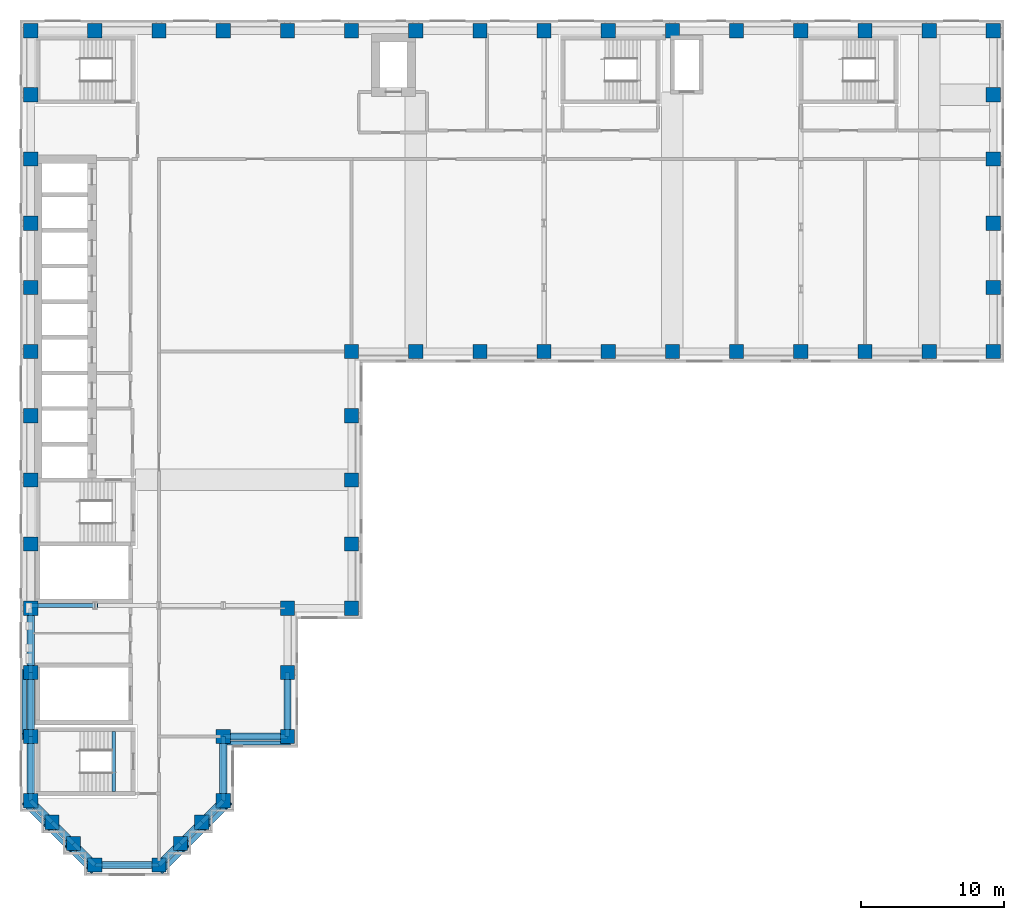
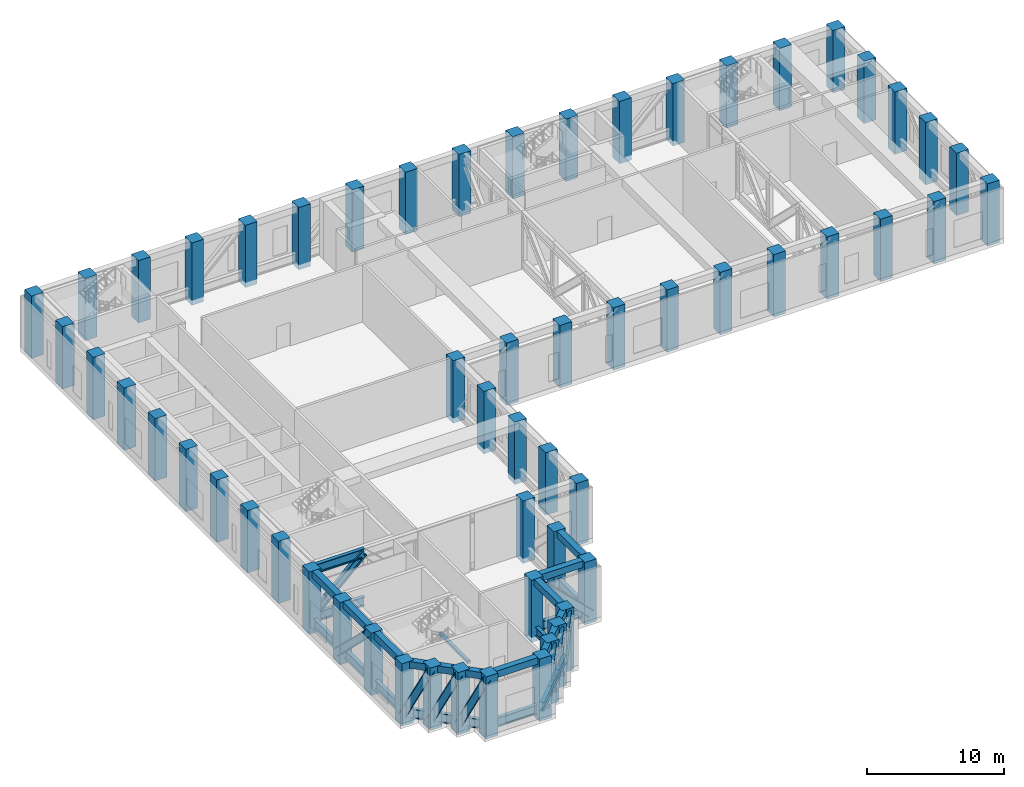
# One storey, part 1 of 14: 58 columns, 24 members, 14 beams.
"""IFC4 building model written with IfcOpenShell, lengths in metres."""

from ifc_helpers import new_model, si_unit, direction, frame, origin, origin_2d, place, context, subcontext, project, spatial, rectangle, i_section, extrude, material, material_profile, profile_set, type_object, element, save


model = new_model("IFC4")

# Units and contexts
model_context = context("Model", 3, precision=1e-05, world=origin(), true_north=direction((0.0, 1.0)))
body_context = subcontext(model_context, "Body", "Model", "MODEL_VIEW")
ifc_project = project(units=[si_unit("LENGTHUNIT", "METRE"), si_unit("AREAUNIT", "SQUARE_METRE"), si_unit("VOLUMEUNIT", "CUBIC_METRE"), si_unit("PLANEANGLEUNIT", "RADIAN"), si_unit("MASSUNIT", "GRAM", prefix="KILO")], contexts=[model_context])

# Site, building, storey
site_placement = place(None, origin())
site = spatial("IfcSite", under=ifc_project, at=site_placement, CompositionType="ELEMENT")
building_placement = place(site_placement, origin())
building = spatial("IfcBuilding", under=site, at=building_placement, Name="Firuza Court", CompositionType="ELEMENT")
storey_placement = place(building_placement, frame((0.0, 0.0, 173.60009765625)))
storey = spatial("IfcBuildingStorey", under=building, at=storey_placement, Name="L44", CompositionType="ELEMENT", Elevation=173.60009765625)

# Columns
ifc_material_1 = material(Name="Concrete C60/75", Category="concrete")
ifc_material_profile_1 = material_profile(ifc_material_1, rectangle(XDim=1.0, YDim=1.0, at=origin_2d()), Name="RC 1000x1000")
ifc_profile_set_1 = profile_set([ifc_material_profile_1], Name="Concrete C60/75")
column_type = type_object("IfcColumnType", Name="Tube column RC 1000x1000 C60/75", PredefinedType="COLUMN", material=ifc_profile_set_1)
for number, where, z_axis, x_axis, name in (
    (1, (4.5, 0.0, -0.4501953125), (0.0, 0.0, 1.0), (1.0, 0.0, 0.0), "Column C-2D L44"),
    (2, (9.0, 0.0, -0.4501953125), (0.0, 0.0, 1.0), (1.0, 0.0, 0.0), "Column C-3D L44"),
    (3, (3.0, 1.5, -0.4501953125), (0.0, 0.0, 1.0), (1.0, 0.0, 0.0), "Column C-SA1 L44"),
    (4, (10.5, 1.5, -0.4501953125), (0.0, 0.0, 1.0), (1.0, 0.0, 0.0), "Column C-SA2 L44"),
    (5, (1.5, 3.0, -0.4501953125), (0.0, 0.0, 1.0), (1.0, 0.0, 0.0), "Column C-SA3 L44"),
    (6, (12.0, 3.0, -0.4501953125), (0.0, 0.0, 1.0), (1.0, 0.0, 0.0), "Column C-SA4 L44"),
    (7, (0.0, 4.5, -0.4501953125), (0.0, 0.0, 1.0), (1.0, 0.0, 0.0), "Column C-1E L44"),
    (8, (13.5, 4.5, -0.4501953125), (0.0, 0.0, 1.0), (1.0, 0.0, 0.0), "Column C-4E L44"),
    (9, (0.0, 9.0, -0.4501953125), (0.0, 0.0, 1.0), (1.0, 0.0, 0.0), "Column C-1F L44"),
    (10, (13.5, 9.0, -0.4501953125), (0.0, 0.0, 1.0), (1.0, 0.0, 0.0), "Column C-4F L44"),
    (11, (18.0, 9.0, -0.4501953125), (0.0, 0.0, 1.0), (1.0, 0.0, 0.0), "Column C-5F L44"),
    (12, (0.0, 13.5, -0.4501953125), (0.0, 0.0, 1.0), (1.0, 0.0, 0.0), "Column C-1G L44"),
    (13, (18.0, 13.5, -0.4501953125), (0.0, 0.0, 1.0), (1.0, 0.0, 0.0), "Column C-5G L44"),
    (14, (0.0, 18.0, -0.4501953125), (0.0, 0.0, 1.0), (1.0, 0.0, 0.0), "Column C-1H L44"),
    (15, (18.0, 18.0, -0.4501953125), (0.0, 0.0, 1.0), (1.0, 0.0, 0.0), "Column C-5H L44"),
    (16, (22.5, 18.0, -0.4501953125), (0.0, 0.0, 1.0), (1.0, 0.0, 0.0), "Column C-6H L44"),
    (17, (0.0, 22.5, -0.4501953125), (0.0, 0.0, 1.0), (1.0, 0.0, 0.0), "Column C-1J L44"),
    (18, (22.5, 22.5, -0.4501953125), (0.0, 0.0, 1.0), (1.0, 0.0, 0.0), "Column C-6J L44"),
    (19, (0.0, 27.0, -0.4501953125), (0.0, 0.0, 1.0), (1.0, 0.0, 0.0), "Column C-1K L44"),
    (20, (22.5, 27.0, -0.4501953125), (0.0, 0.0, 1.0), (1.0, 0.0, 0.0), "Column C-6K L44"),
    (21, (0.0, 31.5, -0.4501953125), (0.0, 0.0, 1.0), (1.0, 0.0, 0.0), "Column C-1L L44"),
    (22, (22.5, 31.5, -0.4501953125), (0.0, 0.0, 1.0), (1.0, 0.0, 0.0), "Column C-6L L44"),
    (23, (0.0, 36.0, -0.4501953125), (0.0, 0.0, 1.0), (1.0, 0.0, 0.0), "Column C-1M L44"),
    (24, (22.5, 36.0, -0.4501953125), (0.0, 0.0, 1.0), (1.0, 0.0, 0.0), "Column C-6M L44"),
    (25, (27.0, 36.0, -0.4501953125), (0.0, 0.0, 1.0), (1.0, 0.0, 0.0), "Column C-7M L44"),
    (26, (31.5, 36.0, -0.4501953125), (0.0, 0.0, 1.0), (1.0, 0.0, 0.0), "Column C-8M L44"),
    (27, (36.0, 36.0, -0.4501953125), (0.0, 0.0, 1.0), (1.0, 0.0, 0.0), "Column C-9M L44"),
    (28, (40.5, 36.0, -0.4501953125), (0.0, 0.0, 1.0), (1.0, 0.0, 0.0), "Column C-10M L44"),
    (29, (45.0, 36.0, -0.4501953125), (0.0, 0.0, 1.0), (1.0, 0.0, 0.0), "Column C-11M L44"),
    (30, (49.5, 36.0, -0.4501953125), (0.0, 0.0, 1.0), (1.0, 0.0, 0.0), "Column C-12M L44"),
    (31, (54.0, 36.0, -0.4501953125), (0.0, 0.0, 1.0), (1.0, 0.0, 0.0), "Column C-13M L44"),
    (32, (58.5, 36.0, -0.4501953125), (0.0, 0.0, 1.0), (1.0, 0.0, 0.0), "Column C-14M L44"),
    (33, (63.0, 36.0, -0.4501953125), (0.0, 0.0, 1.0), (1.0, 0.0, 0.0), "Column C-15M L44"),
    (34, (67.5, 36.0, -0.4501953125), (0.0, 0.0, 1.0), (1.0, 0.0, 0.0), "Column C-16M L44"),
    (35, (0.0, 40.5, -0.4501953125), (0.0, 0.0, 1.0), (1.0, 0.0, 0.0), "Column C-1N L44"),
    (36, (67.5, 40.5, -0.4501953125), (0.0, 0.0, 1.0), (1.0, 0.0, 0.0), "Column C-16N L44"),
    (37, (0.0, 45.0, -0.4501953125), (0.0, 0.0, 1.0), (1.0, 0.0, 0.0), "Column C-1P L44"),
    (38, (67.5, 45.0, -0.4501953125), (0.0, 0.0, 1.0), (1.0, 0.0, 0.0), "Column C-16P L44"),
    (39, (0.0, 49.5, -0.4501953125), (0.0, 0.0, 1.0), (1.0, 0.0, 0.0), "Column C-1Q L44"),
    (40, (67.5, 49.5, -0.4501953125), (0.0, 0.0, 1.0), (1.0, 0.0, 0.0), "Column C-16Q L44"),
    (41, (0.0, 54.0, -0.4501953125), (0.0, 0.0, 1.0), (1.0, 0.0, 0.0), "Column C-1R L44"),
    (42, (67.5, 54.0, -0.4501953125), (0.0, 0.0, 1.0), (1.0, 0.0, 0.0), "Column C-16R L44"),
    (43, (0.0, 58.5, -0.4501953125), (0.0, 0.0, 1.0), (1.0, 0.0, 0.0), "Column C-1S L44"),
    (44, (4.5, 58.5, -0.4501953125), (0.0, 0.0, 1.0), (1.0, 0.0, 0.0), "Column C-2S L44"),
    (45, (9.0, 58.5, -0.4501953125), (0.0, 0.0, 1.0), (1.0, 0.0, 0.0), "Column C-3S L44"),
    (46, (13.5, 58.5, -0.4501953125), (0.0, 0.0, 1.0), (1.0, 0.0, 0.0), "Column C-4S L44"),
    (47, (18.0, 58.5, -0.4501953125), (0.0, 0.0, 1.0), (1.0, 0.0, 0.0), "Column C-5S L44"),
    (48, (22.5, 58.5, -0.4501953125), (0.0, 0.0, 1.0), (1.0, 0.0, 0.0), "Column C-6S L44"),
    (49, (27.0, 58.5, -0.4501953125), (0.0, 0.0, 1.0), (1.0, 0.0, 0.0), "Column C-7S L44"),
    (50, (31.5, 58.5, -0.4501953125), (0.0, 0.0, 1.0), (1.0, 0.0, 0.0), "Column C-8S L44"),
    (51, (36.0, 58.5, -0.4501953125), (0.0, 0.0, 1.0), (1.0, 0.0, 0.0), "Column C-9S L44"),
    (52, (40.5, 58.5, -0.4501953125), (0.0, 0.0, 1.0), (1.0, 0.0, 0.0), "Column C-10S L44"),
    (53, (45.0, 58.5, -0.4501953125), (0.0, 0.0, 1.0), (1.0, 0.0, 0.0), "Column C-11S L44"),
    (54, (49.5, 58.5, -0.4501953125), (0.0, 0.0, 1.0), (1.0, 0.0, 0.0), "Column C-12S L44"),
    (55, (54.0, 58.5, -0.4501953125), (0.0, 0.0, 1.0), (1.0, 0.0, 0.0), "Column C-13S L44"),
    (56, (58.5, 58.5, -0.4501953125), (0.0, 0.0, 1.0), (1.0, 0.0, 0.0), "Column C-14S L44"),
    (57, (63.0, 58.5, -0.4501953125), (0.0, 0.0, 1.0), (1.0, 0.0, 0.0), "Column C-15S L44"),
    (58, (67.5, 58.5, -0.4501953125), (0.0, 0.0, 1.0), (1.0, 0.0, 0.0), "Column C-16S L44"),
):
    element("IfcColumn", number, at=place(storey_placement, frame(where, z_axis=z_axis, x_axis=x_axis)), inside=storey, type_object=column_type, Name=name, PredefinedType="COLUMN", context=body_context, shape_type="SweptSolid", body=[
        extrude(rectangle(XDim=1.0, YDim=1.0, at=origin_2d()), origin(), (0.0, 0.0, 1.0), 5.550048828125),
    ])

# Members
ifc_material_2 = material(Name="Steel S460M", Category="steel")
ifc_material_profile_2 = material_profile(ifc_material_2, i_section(OverallWidth=0.302978515625, OverallDepth=0.81396484375, WebThickness=0.02099609375, FlangeThickness=0.0400390625, FilletRadius=0.030029296875, at=origin_2d()), Name="HE 800 M")
ifc_profile_set_2 = profile_set([ifc_material_profile_2], Name="Steel S460M")
member_type_1 = type_object("IfcMemberType", Name="Belt truss chord HE 800 M S460M", PredefinedType="CHORD", material=ifc_profile_set_2)
for number, where, z_axis, x_axis, name in (
    (59, (9.0, 0.0, 0.406982421875), (0.707106781187, 0.707106781187, 0.0), (-0.707106781187, 0.707106781187, 0.0), "Belt truss chord BC1 L44"),
    (60, (10.5, 1.5, 0.406982421875), (0.707106781187, 0.707106781187, 0.0), (-0.707106781187, 0.707106781187, 0.0), "Belt truss chord BC1 L44"),
    (61, (12.0, 3.0, 0.406982421875), (0.707106781187, 0.707106781187, 0.0), (-0.707106781187, 0.707106781187, 0.0), "Belt truss chord BC1 L44"),
):
    element("IfcMember", number, at=place(storey_placement, frame(where, z_axis=z_axis, x_axis=x_axis)), inside=storey, type_object=member_type_1, Name=name, PredefinedType="CHORD", context=body_context, shape_type="SweptSolid", body=[
        extrude(i_section(OverallWidth=0.302978515625, OverallDepth=0.81396484375, WebThickness=0.02099609375, FlangeThickness=0.0400390625, FilletRadius=0.030029296875, at=origin_2d()), origin(), (0.0, 0.0, 1.0), 2.121337890625),
    ])
for number, where, z_axis, x_axis, name in (
    (62, (13.5, 4.5, 0.406982421875), (0.0, 1.0, 0.0), (-1.0, 0.0, 0.0), "Belt truss chord BC1 L44"),
    (63, (13.5, 9.0, 0.406982421875), (1.0, 0.0, 0.0), (0.0, 1.0, 0.0), "Belt truss chord BC1 L44"),
    (64, (18.0, 9.0, 0.406982421875), (0.0, 1.0, 0.0), (-1.0, 0.0, 0.0), "Belt truss chord BC1 L44"),
    (65, (0.0, 18.0, 0.406982421875), (0.0, -1.0, 0.0), (1.0, 0.0, 0.0), "Belt truss chord BC1 L44"),
    (66, (0.0, 13.5, 0.406982421875), (0.0, -1.0, 0.0), (1.0, 0.0, 0.0), "Belt truss chord BC1 L44"),
    (67, (0.0, 9.0, 0.406982421875), (0.0, -1.0, 0.0), (1.0, 0.0, 0.0), "Belt truss chord BC1 L44"),
):
    element("IfcMember", number, at=place(storey_placement, frame(where, z_axis=z_axis, x_axis=x_axis)), inside=storey, type_object=member_type_1, Name=name, PredefinedType="CHORD", context=body_context, shape_type="SweptSolid", body=[
        extrude(i_section(OverallWidth=0.302978515625, OverallDepth=0.81396484375, WebThickness=0.02099609375, FlangeThickness=0.0400390625, FilletRadius=0.030029296875, at=origin_2d()), origin(), (0.0, 0.0, 1.0), 4.5),
    ])
for number, where, z_axis, x_axis, name in (
    (68, (0.0, 4.5, 0.406982421875), (0.707106781187, -0.707106781187, 0.0), (0.707106781187, 0.707106781187, 0.0), "Belt truss chord BC1 L44"),
    (69, (1.5, 3.0, 0.406982421875), (0.707106781187, -0.707106781187, 0.0), (0.707106781187, 0.707106781187, 0.0), "Belt truss chord BC1 L44"),
    (70, (3.0, 1.5, 0.406982421875), (0.707106781187, -0.707106781187, 0.0), (0.707106781187, 0.707106781187, 0.0), "Belt truss chord BC1 L44"),
):
    element("IfcMember", number, at=place(storey_placement, frame(where, z_axis=z_axis, x_axis=x_axis)), inside=storey, type_object=member_type_1, Name=name, PredefinedType="CHORD", context=body_context, shape_type="SweptSolid", body=[
        extrude(i_section(OverallWidth=0.302978515625, OverallDepth=0.81396484375, WebThickness=0.02099609375, FlangeThickness=0.0400390625, FilletRadius=0.030029296875, at=origin_2d()), origin(), (0.0, 0.0, 1.0), 2.121337890625),
    ])
for number, where, z_axis, x_axis, name in (
    (71, (4.5, 0.0, 0.406982421875), (1.0, 0.0, 0.0), (0.0, 1.0, 0.0), "Belt truss chord BC1 L44"),
    (72, (0.0, 18.198486328125, 0.406982421875), (1.0, 0.0, 0.0), (0.0, 1.0, 0.0), "Belt truss chord BC1 L44"),
    (73, (0.0, 18.198486328125, 4.69287109375), (1.0, 0.0, 0.0), (0.0, 1.0, 0.0), "Belt truss chord BC1 L44"),
):
    element("IfcMember", number, at=place(storey_placement, frame(where, z_axis=z_axis, x_axis=x_axis)), inside=storey, type_object=member_type_1, Name=name, PredefinedType="CHORD", context=body_context, shape_type="SweptSolid", body=[
        extrude(i_section(OverallWidth=0.302978515625, OverallDepth=0.81396484375, WebThickness=0.02099609375, FlangeThickness=0.0400390625, FilletRadius=0.030029296875, at=origin_2d()), origin(), (0.0, 0.0, 1.0), 4.5),
    ])
ifc_material_3 = material(Name="Steel S460M", Category="steel")
ifc_material_profile_3 = material_profile(ifc_material_3, i_section(OverallWidth=0.304931640625, OverallDepth=0.6201171875, WebThickness=0.02099609375, FlangeThickness=0.0400390625, FilletRadius=0.027099609375, at=origin_2d()), Name="HE 600 M")
ifc_profile_set_3 = profile_set([ifc_material_profile_3], Name="Steel S460M")
member_type_2 = type_object("IfcMemberType", Name="Belt truss diagonal HE 600 M S460M", PredefinedType="BRACE", material=ifc_profile_set_3)
for number, where, z_axis, x_axis, name in (
    (74, (9.318115234375, -0.318115234375, 0.406982421875), (0.307490130433, 0.307490130433, 0.900499660951), (-0.707106781187, 0.707106781187, 0.0), "Belt truss diagonal BD1 L44"),
    (75, (10.818115234375, 1.181884765625, 0.406982421875), (0.307490130433, 0.307490130433, 0.900499660951), (-0.707106781187, 0.707106781187, 0.0), "Belt truss diagonal BD1 L44"),
    (76, (12.318115234375, 2.681884765625, 0.406982421875), (0.307490130433, 0.307490130433, 0.900499660951), (-0.707106781187, 0.707106781187, 0.0), "Belt truss diagonal BD1 L44"),
):
    element("IfcMember", number, at=place(storey_placement, frame(where, z_axis=z_axis, x_axis=x_axis)), inside=storey, type_object=member_type_2, Name=name, PredefinedType="BRACE", context=body_context, shape_type="SweptSolid", body=[
        extrude(i_section(OverallWidth=0.304931640625, OverallDepth=0.6201171875, WebThickness=0.02099609375, FlangeThickness=0.0400390625, FilletRadius=0.027099609375, at=origin_2d()), origin(), (0.0, 0.0, 1.0), 4.878173828125),
    ])
for number, where, z_axis, x_axis, name in (
    (77, (18.0, 8.550048828125, 0.406982421875), (-0.715576978108, 0.0, 0.698533884934), (0.0, -1.0, 0.0), "Belt truss diagonal BD1 L44"),
    (78, (-0.449951171875, 13.5, 0.406982421875), (0.0, -0.715576978108, 0.698533884934), (1.0, 0.0, 0.0), "Belt truss diagonal BD1 L44"),
):
    element("IfcMember", number, at=place(storey_placement, frame(where, z_axis=z_axis, x_axis=x_axis)), inside=storey, type_object=member_type_2, Name=name, PredefinedType="BRACE", context=body_context, shape_type="SweptSolid", body=[
        extrude(i_section(OverallWidth=0.304931640625, OverallDepth=0.6201171875, WebThickness=0.02099609375, FlangeThickness=0.0400390625, FilletRadius=0.027099609375, at=origin_2d()), origin(), (0.0, 0.0, 1.0), 6.28857421875),
    ])
for number, where, z_axis, x_axis, name in (
    (79, (-0.318115234375, 4.181884765625, 0.406982421875), (0.307490130433, -0.307490130433, 0.900499660951), (0.707106781187, 0.707106781187, 0.0), "Belt truss diagonal BD1 L44"),
    (80, (1.181884765625, 2.681884765625, 0.406982421875), (0.307490130433, -0.307490130433, 0.900499660951), (0.707106781187, 0.707106781187, 0.0), "Belt truss diagonal BD1 L44"),
    (81, (2.681884765625, 1.181884765625, 0.406982421875), (0.307490130433, -0.307490130433, 0.900499660951), (0.707106781187, 0.707106781187, 0.0), "Belt truss diagonal BD1 L44"),
):
    element("IfcMember", number, at=place(storey_placement, frame(where, z_axis=z_axis, x_axis=x_axis)), inside=storey, type_object=member_type_2, Name=name, PredefinedType="BRACE", context=body_context, shape_type="SweptSolid", body=[
        extrude(i_section(OverallWidth=0.304931640625, OverallDepth=0.6201171875, WebThickness=0.02099609375, FlangeThickness=0.0400390625, FilletRadius=0.027099609375, at=origin_2d()), origin(), (0.0, 0.0, 1.0), 4.878173828125),
    ])
member_placement = place(storey_placement, frame((0.0, 18.198486328125, 0.406982421875), z_axis=(0.72412391677, 0.0, 0.689669887093), x_axis=(0.0, 1.0, 0.0)))
element("IfcMember", 82, at=member_placement, inside=storey, type_object=member_type_2, Name="Belt truss diagonal BD1 L44", PredefinedType="BRACE", context=body_context, shape_type="SweptSolid", body=[
    extrude(i_section(OverallWidth=0.304931640625, OverallDepth=0.6201171875, WebThickness=0.02099609375, FlangeThickness=0.0400390625, FilletRadius=0.027099609375, at=origin_2d()), origin(), (0.0, 0.0, 1.0), 6.21435546875),
])

# Beams
ifc_material_4 = material(Name="Concrete C40/50", Category="concrete")
ifc_material_profile_4 = material_profile(ifc_material_4, rectangle(XDim=0.25, YDim=0.25, at=origin_2d()), Name="RC 250x250")
ifc_profile_set_4 = profile_set([ifc_material_profile_4], Name="Concrete C40/50")
beam_type_1 = type_object("IfcBeamType", Name="Landing beam RC 250x250 C40/50", PredefinedType="BEAM", material=ifc_profile_set_4)
beam_1_placement = place(storey_placement, frame((5.824951171875, 5.14990234375, 2.375), z_axis=(0.0, 1.0, 0.0), x_axis=(-1.0, 0.0, 0.0)))
element("IfcBeam", 83, at=beam_1_placement, inside=storey, type_object=beam_type_1, Name="Landing beam S5 L44", PredefinedType="BEAM", context=body_context, shape_type="SweptSolid", body=[
    extrude(rectangle(XDim=0.25, YDim=0.25, at=origin_2d()), origin(), (0.0, 0.0, 1.0), 4.2001953125),
])
ifc_material_5 = material(Name="Concrete C40/50", Category="concrete")
ifc_material_profile_5 = material_profile(ifc_material_5, rectangle(XDim=0.5, YDim=0.60009765625, at=origin_2d()), Name="RC 500x600")
ifc_profile_set_5 = profile_set([ifc_material_profile_5], Name="Concrete C40/50")
beam_type_2 = type_object("IfcBeamType", Name="Spandrel beam RC 500x600 C40/50", PredefinedType="BEAM", material=ifc_profile_set_5)
beam_2_placement = place(storey_placement, frame((0.0, 4.5, 4.7998046875), z_axis=(0.707106781187, -0.707106781187, 0.0), x_axis=(0.707106781187, 0.707106781187, 0.0)))
element("IfcBeam", 84, at=beam_2_placement, inside=storey, type_object=beam_type_2, Name="Spandrel beam SP13 level L45", PredefinedType="BEAM", context=body_context, shape_type="SweptSolid", body=[
    extrude(rectangle(XDim=0.5, YDim=0.60009765625, at=origin_2d()), origin(), (0.0, 0.0, 1.0), 2.121337890625),
])
for number, where, z_axis, x_axis, name in (
    (85, (0.0, 9.0, 4.7998046875), (0.0, -1.0, 0.0), (1.0, 0.0, 0.0), "Spandrel beam SP13 level L45"),
    (86, (0.0, 13.5, 4.7998046875), (0.0, -1.0, 0.0), (1.0, 0.0, 0.0), "Spandrel beam SP13 level L45"),
    (87, (0.0, 18.0, 4.7998046875), (0.0, -1.0, 0.0), (1.0, 0.0, 0.0), "Spandrel beam SP13 level L45"),
):
    element("IfcBeam", number, at=place(storey_placement, frame(where, z_axis=z_axis, x_axis=x_axis)), inside=storey, type_object=beam_type_2, Name=name, PredefinedType="BEAM", context=body_context, shape_type="SweptSolid", body=[
        extrude(rectangle(XDim=0.5, YDim=0.60009765625, at=origin_2d()), origin(), (0.0, 0.0, 1.0), 4.5),
    ])
for number, where, z_axis, x_axis, name in (
    (88, (1.5, 3.0, 4.7998046875), (0.707106781187, -0.707106781187, 0.0), (0.707106781187, 0.707106781187, 0.0), "Spandrel beam SP13 level L45"),
    (89, (3.0, 1.5, 4.7998046875), (0.707106781187, -0.707106781187, 0.0), (0.707106781187, 0.707106781187, 0.0), "Spandrel beam SP13 level L45"),
):
    element("IfcBeam", number, at=place(storey_placement, frame(where, z_axis=z_axis, x_axis=x_axis)), inside=storey, type_object=beam_type_2, Name=name, PredefinedType="BEAM", context=body_context, shape_type="SweptSolid", body=[
        extrude(rectangle(XDim=0.5, YDim=0.60009765625, at=origin_2d()), origin(), (0.0, 0.0, 1.0), 2.121337890625),
    ])
beam_3_placement = place(storey_placement, frame((4.5, 0.0, 4.7998046875), z_axis=(1.0, 0.0, 0.0), x_axis=(0.0, 1.0, 0.0)))
element("IfcBeam", 90, at=beam_3_placement, inside=storey, type_object=beam_type_2, Name="Spandrel beam SP13 level L45", PredefinedType="BEAM", context=body_context, shape_type="SweptSolid", body=[
    extrude(rectangle(XDim=0.5, YDim=0.60009765625, at=origin_2d()), origin(), (0.0, 0.0, 1.0), 4.5),
])
for number, where, z_axis, x_axis, name in (
    (91, (9.0, 0.0, 4.7998046875), (0.707106781187, 0.707106781187, 0.0), (-0.707106781187, 0.707106781187, 0.0), "Spandrel beam SP13 level L45"),
    (92, (10.5, 1.5, 4.7998046875), (0.707106781187, 0.707106781187, 0.0), (-0.707106781187, 0.707106781187, 0.0), "Spandrel beam SP13 level L45"),
    (93, (12.0, 3.0, 4.7998046875), (0.707106781187, 0.707106781187, 0.0), (-0.707106781187, 0.707106781187, 0.0), "Spandrel beam SP13 level L45"),
):
    element("IfcBeam", number, at=place(storey_placement, frame(where, z_axis=z_axis, x_axis=x_axis)), inside=storey, type_object=beam_type_2, Name=name, PredefinedType="BEAM", context=body_context, shape_type="SweptSolid", body=[
        extrude(rectangle(XDim=0.5, YDim=0.60009765625, at=origin_2d()), origin(), (0.0, 0.0, 1.0), 2.121337890625),
    ])
for number, where, z_axis, x_axis, name in (
    (94, (13.5, 4.5, 4.7998046875), (0.0, 1.0, 0.0), (-1.0, 0.0, 0.0), "Spandrel beam SP13 level L45"),
    (95, (13.5, 9.0, 4.7998046875), (1.0, 0.0, 0.0), (0.0, 1.0, 0.0), "Spandrel beam SP13 level L45"),
    (96, (18.0, 9.0, 4.7998046875), (0.0, 1.0, 0.0), (-1.0, 0.0, 0.0), "Spandrel beam SP13 level L45"),
):
    element("IfcBeam", number, at=place(storey_placement, frame(where, z_axis=z_axis, x_axis=x_axis)), inside=storey, type_object=beam_type_2, Name=name, PredefinedType="BEAM", context=body_context, shape_type="SweptSolid", body=[
        extrude(rectangle(XDim=0.5, YDim=0.60009765625, at=origin_2d()), origin(), (0.0, 0.0, 1.0), 4.5),
    ])

save(model, "model.ifc")
